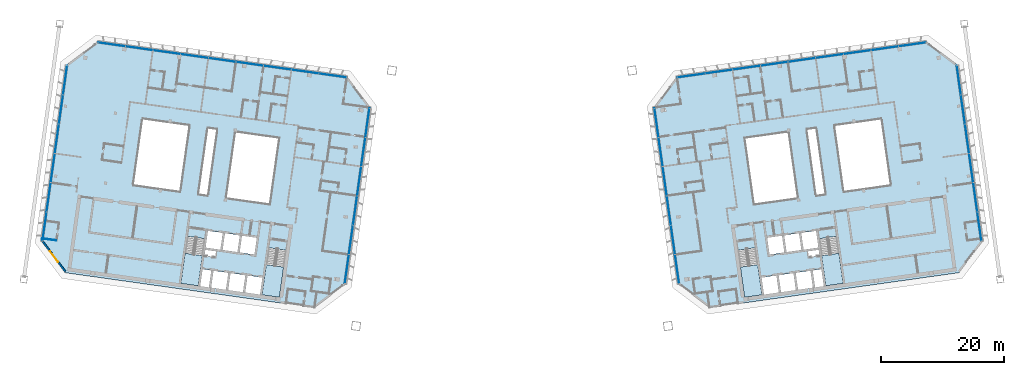
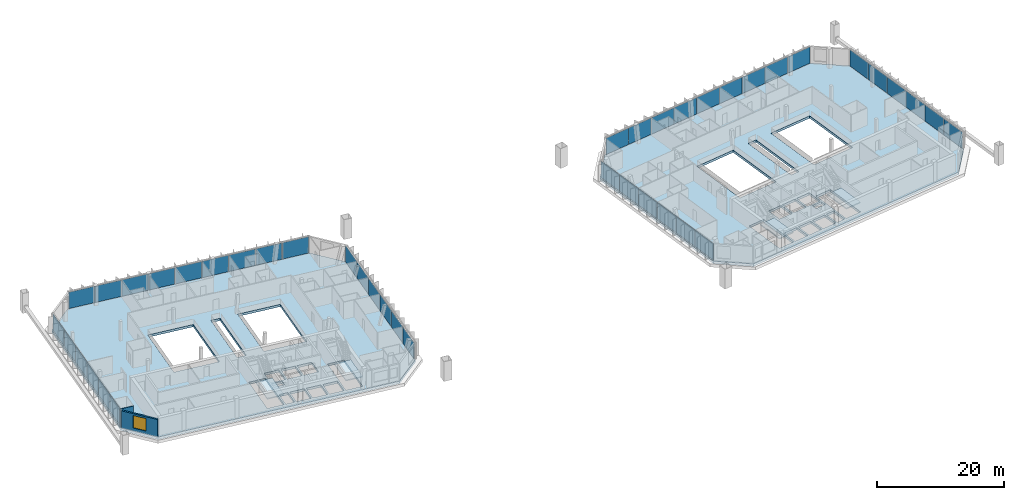
# One storey, part 14 of 26: 42 plates, 6 slabs, 2 walls, 1 window, 1 opening, 10 elements without a shape of their own.
"""IFC4 building model written with IfcOpenShell, lengths in metres."""

from ifc_helpers import new_model, si_unit, direction, frame, frame_2d, origin, origin_2d, place, context, subcontext, project, spatial, polyline, rectangle, outline, extrude, material, layer, layer_set, type_object, element, fill, aggregate, save


model = new_model("IFC4")

# Units and contexts
model_context = context("Model", 3, precision=1e-05, world=origin(), true_north=direction((0.0, 1.0)))
body_context = subcontext(model_context, "Body", "Model", "MODEL_VIEW")
ifc_project = project(units=[si_unit("LENGTHUNIT", "METRE"), si_unit("AREAUNIT", "SQUARE_METRE"), si_unit("VOLUMEUNIT", "CUBIC_METRE"), si_unit("PLANEANGLEUNIT", "RADIAN"), si_unit("MASSUNIT", "GRAM", prefix="KILO")], contexts=[model_context])

# Site, building, storey
site_placement = place(None, origin())
site = spatial("IfcSite", under=ifc_project, at=site_placement, CompositionType="ELEMENT")
building_placement = place(site_placement, origin())
building = spatial("IfcBuilding", under=site, at=building_placement, Name="Mirante Cascada Hotel Towers", CompositionType="ELEMENT")
storey_placement = place(building_placement, frame((0.0, 0.0, 216.6)))
storey = spatial("IfcBuildingStorey", under=building, at=storey_placement, Name="L51", CompositionType="ELEMENT", Elevation=216.6)

# Curtain wall, plates
ifc_material_1 = material(Name="Aluminium mullion and transom frame with clear laminated glass", Category="aluminium")
curtain_wall_type_1 = type_object("IfcCurtainWallType", Name="Ribbon curtain wall ECW1", PredefinedType="NOTDEFINED", material=ifc_material_1)
curtain_wall_1_placement = place(storey_placement, origin())
curtain_wall_1 = element("IfcCurtainWall", 1, at=curtain_wall_1_placement, inside=storey, type_object=curtain_wall_type_1, Name="Front ribbon wall T1 L51", PredefinedType="NOTDEFINED")
ifc_material_2 = material(Name="Clear laminated glass", Category="glass")
ifc_layer_1 = layer(ifc_material_2, 0.036)
ifc_layer_set_1 = layer_set([ifc_layer_1], Name="ECW1 glass panel 36")
plate_type_1 = type_object("IfcPlateType", Name="ECW1 glass panel 36", PredefinedType="CURTAIN_PANEL", material=ifc_layer_set_1)
plate_1_placement = place(storey_placement, frame((-65.1563, 21.9761, 0.1), z_axis=(0.0, 0.0, 1.0), x_axis=(0.9902681, -0.1391731, 0.0)))
plate_1 = element("IfcPlate", 2, at=plate_1_placement, type_object=plate_type_1, Name="ECW1 panel 1", PredefinedType="CURTAIN_PANEL", context=body_context, shape_type="SweptSolid", body=[
    extrude(rectangle(XDim=4.4438, YDim=0.036, at=origin_2d()), origin(), (0.0, 0.0, 1.0), 3.15),
])
plate_2_placement = place(storey_placement, frame((-60.6753, 21.3464, 0.1), z_axis=(0.0, 0.0, 1.0), x_axis=(0.9902681, -0.1391731, 0.0)))
plate_2 = element("IfcPlate", 3, at=plate_2_placement, type_object=plate_type_1, Name="ECW1 panel 2", PredefinedType="CURTAIN_PANEL", context=body_context, shape_type="SweptSolid", body=[
    extrude(rectangle(XDim=4.4763, YDim=0.036, at=origin_2d()), origin(), (0.0, 0.0, 1.0), 3.15),
])
plate_3_placement = place(storey_placement, frame((-56.1783, 20.7144, 0.1), z_axis=(0.0, 0.0, 1.0), x_axis=(0.9902681, -0.1391731, 0.0)))
plate_3 = element("IfcPlate", 4, at=plate_3_placement, type_object=plate_type_1, Name="ECW1 panel 3", PredefinedType="CURTAIN_PANEL", context=body_context, shape_type="SweptSolid", body=[
    extrude(rectangle(XDim=4.4763, YDim=0.036, at=origin_2d()), origin(), (0.0, 0.0, 1.0), 3.15),
])
plate_4_placement = place(storey_placement, frame((-51.6812, 20.0823, 0.1), z_axis=(0.0, 0.0, 1.0), x_axis=(0.9902681, -0.1391731, 0.0)))
plate_4 = element("IfcPlate", 5, at=plate_4_placement, type_object=plate_type_1, Name="ECW1 panel 4", PredefinedType="CURTAIN_PANEL", context=body_context, shape_type="SweptSolid", body=[
    extrude(rectangle(XDim=4.4763, YDim=0.036, at=origin_2d()), origin(), (0.0, 0.0, 1.0), 3.15),
])
plate_5_placement = place(storey_placement, frame((-47.1841, 19.4503, 0.1), z_axis=(0.0, 0.0, 1.0), x_axis=(0.9902681, -0.1391731, 0.0)))
plate_5 = element("IfcPlate", 6, at=plate_5_placement, type_object=plate_type_1, Name="ECW1 panel 5", PredefinedType="CURTAIN_PANEL", context=body_context, shape_type="SweptSolid", body=[
    extrude(rectangle(XDim=4.4763, YDim=0.036, at=origin_2d()), origin(), (0.0, 0.0, 1.0), 3.15),
])
plate_6_placement = place(storey_placement, frame((-42.6871, 18.8183, 0.1), z_axis=(0.0, 0.0, 1.0), x_axis=(0.9902681, -0.1391731, 0.0)))
plate_6 = element("IfcPlate", 7, at=plate_6_placement, type_object=plate_type_1, Name="ECW1 panel 6", PredefinedType="CURTAIN_PANEL", context=body_context, shape_type="SweptSolid", body=[
    extrude(rectangle(XDim=4.4763, YDim=0.036, at=origin_2d()), origin(), (0.0, 0.0, 1.0), 3.15),
])
plate_7_placement = place(storey_placement, frame((-38.19, 18.1863, 0.1), z_axis=(0.0, 0.0, 1.0), x_axis=(0.9902681, -0.1391731, 0.0)))
plate_7 = element("IfcPlate", 8, at=plate_7_placement, type_object=plate_type_1, Name="ECW1 panel 7", PredefinedType="CURTAIN_PANEL", context=body_context, shape_type="SweptSolid", body=[
    extrude(rectangle(XDim=4.4763, YDim=0.036, at=origin_2d()), origin(), (0.0, 0.0, 1.0), 3.15),
])
plate_8_placement = place(storey_placement, frame((-33.693, 17.5543, 0.1), z_axis=(0.0, 0.0, 1.0), x_axis=(0.9902681, -0.1391731, 0.0)))
plate_8 = element("IfcPlate", 9, at=plate_8_placement, type_object=plate_type_1, Name="ECW1 panel 8", PredefinedType="CURTAIN_PANEL", context=body_context, shape_type="SweptSolid", body=[
    extrude(rectangle(XDim=4.4763, YDim=0.036, at=origin_2d()), origin(), (0.0, 0.0, 1.0), 3.15),
])
plate_9_placement = place(storey_placement, frame((-29.212, 16.9245, 0.1), z_axis=(0.0, 0.0, 1.0), x_axis=(0.9902681, -0.1391731, 0.0)))
plate_9 = element("IfcPlate", 10, at=plate_9_placement, type_object=plate_type_1, Name="ECW1 panel 9", PredefinedType="CURTAIN_PANEL", context=body_context, shape_type="SweptSolid", body=[
    extrude(rectangle(XDim=4.4438, YDim=0.036, at=origin_2d()), origin(), (0.0, 0.0, 1.0), 3.15),
])
aggregate(curtain_wall_1, [plate_1, plate_2, plate_3, plate_4, plate_5, plate_6, plate_7, plate_8, plate_9])

curtain_wall_2_placement = place(storey_placement, origin())
curtain_wall_2 = element("IfcCurtainWall", 11, at=curtain_wall_2_placement, inside=storey, type_object=curtain_wall_type_1, Name="Front ribbon wall T2 L51", PredefinedType="NOTDEFINED")
plate_10_placement = place(storey_placement, frame((65.1563, 21.9761, 0.1), z_axis=(0.0, 0.0, 1.0), x_axis=(-0.9902681, -0.1391731, 0.0)))
plate_10 = element("IfcPlate", 12, at=plate_10_placement, type_object=plate_type_1, Name="ECW1 panel 1", PredefinedType="CURTAIN_PANEL", context=body_context, shape_type="SweptSolid", body=[
    extrude(rectangle(XDim=4.4438, YDim=0.036, at=origin_2d()), origin(), (0.0, 0.0, 1.0), 3.15),
])
plate_11_placement = place(storey_placement, frame((60.6753, 21.3464, 0.1), z_axis=(0.0, 0.0, 1.0), x_axis=(-0.9902681, -0.1391731, 0.0)))
plate_11 = element("IfcPlate", 13, at=plate_11_placement, type_object=plate_type_1, Name="ECW1 panel 2", PredefinedType="CURTAIN_PANEL", context=body_context, shape_type="SweptSolid", body=[
    extrude(rectangle(XDim=4.4763, YDim=0.036, at=origin_2d()), origin(), (0.0, 0.0, 1.0), 3.15),
])
plate_12_placement = place(storey_placement, frame((56.1783, 20.7144, 0.1), z_axis=(0.0, 0.0, 1.0), x_axis=(-0.9902681, -0.1391731, 0.0)))
plate_12 = element("IfcPlate", 14, at=plate_12_placement, type_object=plate_type_1, Name="ECW1 panel 3", PredefinedType="CURTAIN_PANEL", context=body_context, shape_type="SweptSolid", body=[
    extrude(rectangle(XDim=4.4763, YDim=0.036, at=origin_2d()), origin(), (0.0, 0.0, 1.0), 3.15),
])
plate_13_placement = place(storey_placement, frame((51.6812, 20.0823, 0.1), z_axis=(0.0, 0.0, 1.0), x_axis=(-0.9902681, -0.1391731, 0.0)))
plate_13 = element("IfcPlate", 15, at=plate_13_placement, type_object=plate_type_1, Name="ECW1 panel 4", PredefinedType="CURTAIN_PANEL", context=body_context, shape_type="SweptSolid", body=[
    extrude(rectangle(XDim=4.4763, YDim=0.036, at=origin_2d()), origin(), (0.0, 0.0, 1.0), 3.15),
])
plate_14_placement = place(storey_placement, frame((47.1841, 19.4503, 0.1), z_axis=(0.0, 0.0, 1.0), x_axis=(-0.9902681, -0.1391731, 0.0)))
plate_14 = element("IfcPlate", 16, at=plate_14_placement, type_object=plate_type_1, Name="ECW1 panel 5", PredefinedType="CURTAIN_PANEL", context=body_context, shape_type="SweptSolid", body=[
    extrude(rectangle(XDim=4.4763, YDim=0.036, at=origin_2d()), origin(), (0.0, 0.0, 1.0), 3.15),
])
plate_15_placement = place(storey_placement, frame((42.6871, 18.8183, 0.1), z_axis=(0.0, 0.0, 1.0), x_axis=(-0.9902681, -0.1391731, 0.0)))
plate_15 = element("IfcPlate", 17, at=plate_15_placement, type_object=plate_type_1, Name="ECW1 panel 6", PredefinedType="CURTAIN_PANEL", context=body_context, shape_type="SweptSolid", body=[
    extrude(rectangle(XDim=4.4763, YDim=0.036, at=origin_2d()), origin(), (0.0, 0.0, 1.0), 3.15),
])
plate_16_placement = place(storey_placement, frame((38.19, 18.1863, 0.1), z_axis=(0.0, 0.0, 1.0), x_axis=(-0.9902681, -0.1391731, 0.0)))
plate_16 = element("IfcPlate", 18, at=plate_16_placement, type_object=plate_type_1, Name="ECW1 panel 7", PredefinedType="CURTAIN_PANEL", context=body_context, shape_type="SweptSolid", body=[
    extrude(rectangle(XDim=4.4763, YDim=0.036, at=origin_2d()), origin(), (0.0, 0.0, 1.0), 3.15),
])
plate_17_placement = place(storey_placement, frame((33.693, 17.5543, 0.1), z_axis=(0.0, 0.0, 1.0), x_axis=(-0.9902681, -0.1391731, 0.0)))
plate_17 = element("IfcPlate", 19, at=plate_17_placement, type_object=plate_type_1, Name="ECW1 panel 8", PredefinedType="CURTAIN_PANEL", context=body_context, shape_type="SweptSolid", body=[
    extrude(rectangle(XDim=4.4763, YDim=0.036, at=origin_2d()), origin(), (0.0, 0.0, 1.0), 3.15),
])
plate_18_placement = place(storey_placement, frame((29.212, 16.9245, 0.1), z_axis=(0.0, 0.0, 1.0), x_axis=(-0.9902681, -0.1391731, 0.0)))
plate_18 = element("IfcPlate", 20, at=plate_18_placement, type_object=plate_type_1, Name="ECW1 panel 9", PredefinedType="CURTAIN_PANEL", context=body_context, shape_type="SweptSolid", body=[
    extrude(rectangle(XDim=4.4438, YDim=0.036, at=origin_2d()), origin(), (0.0, 0.0, 1.0), 3.15),
])
aggregate(curtain_wall_2, [plate_10, plate_11, plate_12, plate_13, plate_14, plate_15, plate_16, plate_17, plate_18])

ifc_material_3 = material(Name="Aluminium mullion and transom frame with clear laminated glass", Category="aluminium")
curtain_wall_type_2 = type_object("IfcCurtainWallType", Name="End ribbon curtain wall ECW2", PredefinedType="NOTDEFINED", material=ifc_material_3)
curtain_wall_3_placement = place(storey_placement, origin())
curtain_wall_3 = element("IfcCurtainWall", 21, at=curtain_wall_3_placement, inside=storey, type_object=curtain_wall_type_2, Name="Inner end wall T1 L51", PredefinedType="NOTDEFINED")
ifc_material_4 = material(Name="Clear laminated glass", Category="glass")
ifc_layer_2 = layer(ifc_material_4, 0.034)
ifc_layer_set_2 = layer_set([ifc_layer_2], Name="ECW2 glass panel 34")
plate_type_2 = type_object("IfcPlateType", Name="ECW2 glass panel 34", PredefinedType="CURTAIN_PANEL", material=ifc_layer_set_2)
plate_19_placement = place(storey_placement, frame((-23.5294, 9.224, 0.1), z_axis=(0.0, 0.0, 1.0), x_axis=(-0.1391731, -0.9902681, 0.0)))
plate_19 = element("IfcPlate", 22, at=plate_19_placement, type_object=plate_type_2, Name="ECW2 panel 1", PredefinedType="CURTAIN_PANEL", context=body_context, shape_type="SweptSolid", body=[
    extrude(rectangle(XDim=4.7151, YDim=0.034, at=origin_2d()), origin(), (0.0, 0.0, 1.0), 3.15),
])
plate_20_placement = place(storey_placement, frame((-24.1969, 4.4743, 0.1), z_axis=(0.0, 0.0, 1.0), x_axis=(-0.1391731, -0.9902681, 0.0)))
plate_20 = element("IfcPlate", 23, at=plate_20_placement, type_object=plate_type_2, Name="ECW2 panel 2", PredefinedType="CURTAIN_PANEL", context=body_context, shape_type="SweptSolid", body=[
    extrude(rectangle(XDim=4.7476, YDim=0.034, at=origin_2d()), origin(), (0.0, 0.0, 1.0), 3.15),
])
plate_21_placement = place(storey_placement, frame((-24.8667, -0.2915, 0.1), z_axis=(0.0, 0.0, 1.0), x_axis=(-0.1391731, -0.9902681, 0.0)))
plate_21 = element("IfcPlate", 24, at=plate_21_placement, type_object=plate_type_2, Name="ECW2 panel 3", PredefinedType="CURTAIN_PANEL", context=body_context, shape_type="SweptSolid", body=[
    extrude(rectangle(XDim=4.7476, YDim=0.034, at=origin_2d()), origin(), (0.0, 0.0, 1.0), 3.15),
])
plate_22_placement = place(storey_placement, frame((-25.5365, -5.0573, 0.1), z_axis=(0.0, 0.0, 1.0), x_axis=(-0.1391731, -0.9902681, 0.0)))
plate_22 = element("IfcPlate", 25, at=plate_22_placement, type_object=plate_type_2, Name="ECW2 panel 4", PredefinedType="CURTAIN_PANEL", context=body_context, shape_type="SweptSolid", body=[
    extrude(rectangle(XDim=4.7476, YDim=0.034, at=origin_2d()), origin(), (0.0, 0.0, 1.0), 3.15),
])
plate_23_placement = place(storey_placement, frame((-26.2063, -9.8231, 0.1), z_axis=(0.0, 0.0, 1.0), x_axis=(-0.1391731, -0.9902681, 0.0)))
plate_23 = element("IfcPlate", 26, at=plate_23_placement, type_object=plate_type_2, Name="ECW2 panel 5", PredefinedType="CURTAIN_PANEL", context=body_context, shape_type="SweptSolid", body=[
    extrude(rectangle(XDim=4.7476, YDim=0.034, at=origin_2d()), origin(), (0.0, 0.0, 1.0), 3.15),
])
plate_24_placement = place(storey_placement, frame((-26.8738, -14.5727, 0.1), z_axis=(0.0, 0.0, 1.0), x_axis=(-0.1391731, -0.9902681, 0.0)))
plate_24 = element("IfcPlate", 27, at=plate_24_placement, type_object=plate_type_2, Name="ECW2 panel 6", PredefinedType="CURTAIN_PANEL", context=body_context, shape_type="SweptSolid", body=[
    extrude(rectangle(XDim=4.7151, YDim=0.034, at=origin_2d()), origin(), (0.0, 0.0, 1.0), 3.15),
])
aggregate(curtain_wall_3, [plate_19, plate_20, plate_21, plate_22, plate_23, plate_24])

curtain_wall_4_placement = place(storey_placement, origin())
curtain_wall_4 = element("IfcCurtainWall", 28, at=curtain_wall_4_placement, inside=storey, type_object=curtain_wall_type_2, Name="Outer end wall T1 L51", PredefinedType="NOTDEFINED")
plate_25_placement = place(storey_placement, frame((-76.0857, -7.6565, 0.1), z_axis=(0.0, 0.0, 1.0), x_axis=(0.1391731, 0.9902681, 0.0)))
plate_25 = element("IfcPlate", 29, at=plate_25_placement, type_object=plate_type_2, Name="ECW2 panel 1", PredefinedType="CURTAIN_PANEL", context=body_context, shape_type="SweptSolid", body=[
    extrude(rectangle(XDim=4.7151, YDim=0.034, at=origin_2d()), origin(), (0.0, 0.0, 1.0), 3.15),
])
plate_26_placement = place(storey_placement, frame((-75.4182, -2.9068, 0.1), z_axis=(0.0, 0.0, 1.0), x_axis=(0.1391731, 0.9902681, 0.0)))
plate_26 = element("IfcPlate", 30, at=plate_26_placement, type_object=plate_type_2, Name="ECW2 panel 2", PredefinedType="CURTAIN_PANEL", context=body_context, shape_type="SweptSolid", body=[
    extrude(rectangle(XDim=4.7476, YDim=0.034, at=origin_2d()), origin(), (0.0, 0.0, 1.0), 3.15),
])
plate_27_placement = place(storey_placement, frame((-74.7484, 1.859, 0.1), z_axis=(0.0, 0.0, 1.0), x_axis=(0.1391731, 0.9902681, 0.0)))
plate_27 = element("IfcPlate", 31, at=plate_27_placement, type_object=plate_type_2, Name="ECW2 panel 3", PredefinedType="CURTAIN_PANEL", context=body_context, shape_type="SweptSolid", body=[
    extrude(rectangle(XDim=4.7476, YDim=0.034, at=origin_2d()), origin(), (0.0, 0.0, 1.0), 3.15),
])
plate_28_placement = place(storey_placement, frame((-74.0786, 6.6248, 0.1), z_axis=(0.0, 0.0, 1.0), x_axis=(0.1391731, 0.9902681, 0.0)))
plate_28 = element("IfcPlate", 32, at=plate_28_placement, type_object=plate_type_2, Name="ECW2 panel 4", PredefinedType="CURTAIN_PANEL", context=body_context, shape_type="SweptSolid", body=[
    extrude(rectangle(XDim=4.7476, YDim=0.034, at=origin_2d()), origin(), (0.0, 0.0, 1.0), 3.15),
])
plate_29_placement = place(storey_placement, frame((-73.4088, 11.3906, 0.1), z_axis=(0.0, 0.0, 1.0), x_axis=(0.1391731, 0.9902681, 0.0)))
plate_29 = element("IfcPlate", 33, at=plate_29_placement, type_object=plate_type_2, Name="ECW2 panel 5", PredefinedType="CURTAIN_PANEL", context=body_context, shape_type="SweptSolid", body=[
    extrude(rectangle(XDim=4.7476, YDim=0.034, at=origin_2d()), origin(), (0.0, 0.0, 1.0), 3.15),
])
plate_30_placement = place(storey_placement, frame((-72.7413, 16.1403, 0.1), z_axis=(0.0, 0.0, 1.0), x_axis=(0.1391731, 0.9902681, 0.0)))
plate_30 = element("IfcPlate", 34, at=plate_30_placement, type_object=plate_type_2, Name="ECW2 panel 6", PredefinedType="CURTAIN_PANEL", context=body_context, shape_type="SweptSolid", body=[
    extrude(rectangle(XDim=4.7151, YDim=0.034, at=origin_2d()), origin(), (0.0, 0.0, 1.0), 3.15),
])
aggregate(curtain_wall_4, [plate_25, plate_26, plate_27, plate_28, plate_29, plate_30])

curtain_wall_5_placement = place(storey_placement, origin())
curtain_wall_5 = element("IfcCurtainWall", 35, at=curtain_wall_5_placement, inside=storey, type_object=curtain_wall_type_2, Name="Inner end wall T2 L51", PredefinedType="NOTDEFINED")
plate_31_placement = place(storey_placement, frame((23.5294, 9.224, 0.1), z_axis=(0.0, 0.0, 1.0), x_axis=(0.1391731, -0.9902681, 0.0)))
plate_31 = element("IfcPlate", 36, at=plate_31_placement, type_object=plate_type_2, Name="ECW2 panel 1", PredefinedType="CURTAIN_PANEL", context=body_context, shape_type="SweptSolid", body=[
    extrude(rectangle(XDim=4.7151, YDim=0.034, at=origin_2d()), origin(), (0.0, 0.0, 1.0), 3.15),
])
plate_32_placement = place(storey_placement, frame((24.1969, 4.4743, 0.1), z_axis=(0.0, 0.0, 1.0), x_axis=(0.1391731, -0.9902681, 0.0)))
plate_32 = element("IfcPlate", 37, at=plate_32_placement, type_object=plate_type_2, Name="ECW2 panel 2", PredefinedType="CURTAIN_PANEL", context=body_context, shape_type="SweptSolid", body=[
    extrude(rectangle(XDim=4.7476, YDim=0.034, at=origin_2d()), origin(), (0.0, 0.0, 1.0), 3.15),
])
plate_33_placement = place(storey_placement, frame((24.8667, -0.2915, 0.1), z_axis=(0.0, 0.0, 1.0), x_axis=(0.1391731, -0.9902681, 0.0)))
plate_33 = element("IfcPlate", 38, at=plate_33_placement, type_object=plate_type_2, Name="ECW2 panel 3", PredefinedType="CURTAIN_PANEL", context=body_context, shape_type="SweptSolid", body=[
    extrude(rectangle(XDim=4.7476, YDim=0.034, at=origin_2d()), origin(), (0.0, 0.0, 1.0), 3.15),
])
plate_34_placement = place(storey_placement, frame((25.5365, -5.0573, 0.1), z_axis=(0.0, 0.0, 1.0), x_axis=(0.1391731, -0.9902681, 0.0)))
plate_34 = element("IfcPlate", 39, at=plate_34_placement, type_object=plate_type_2, Name="ECW2 panel 4", PredefinedType="CURTAIN_PANEL", context=body_context, shape_type="SweptSolid", body=[
    extrude(rectangle(XDim=4.7476, YDim=0.034, at=origin_2d()), origin(), (0.0, 0.0, 1.0), 3.15),
])
plate_35_placement = place(storey_placement, frame((26.2063, -9.8231, 0.1), z_axis=(0.0, 0.0, 1.0), x_axis=(0.1391731, -0.9902681, 0.0)))
plate_35 = element("IfcPlate", 40, at=plate_35_placement, type_object=plate_type_2, Name="ECW2 panel 5", PredefinedType="CURTAIN_PANEL", context=body_context, shape_type="SweptSolid", body=[
    extrude(rectangle(XDim=4.7476, YDim=0.034, at=origin_2d()), origin(), (0.0, 0.0, 1.0), 3.15),
])
plate_36_placement = place(storey_placement, frame((26.8738, -14.5727, 0.1), z_axis=(0.0, 0.0, 1.0), x_axis=(0.1391731, -0.9902681, 0.0)))
plate_36 = element("IfcPlate", 41, at=plate_36_placement, type_object=plate_type_2, Name="ECW2 panel 6", PredefinedType="CURTAIN_PANEL", context=body_context, shape_type="SweptSolid", body=[
    extrude(rectangle(XDim=4.7151, YDim=0.034, at=origin_2d()), origin(), (0.0, 0.0, 1.0), 3.15),
])
aggregate(curtain_wall_5, [plate_31, plate_32, plate_33, plate_34, plate_35, plate_36])

curtain_wall_6_placement = place(storey_placement, origin())
curtain_wall_6 = element("IfcCurtainWall", 42, at=curtain_wall_6_placement, inside=storey, type_object=curtain_wall_type_2, Name="Outer end wall T2 L51", PredefinedType="NOTDEFINED")
plate_37_placement = place(storey_placement, frame((76.0857, -7.6565, 0.1), z_axis=(0.0, 0.0, 1.0), x_axis=(-0.1391731, 0.9902681, 0.0)))
plate_37 = element("IfcPlate", 43, at=plate_37_placement, type_object=plate_type_2, Name="ECW2 panel 1", PredefinedType="CURTAIN_PANEL", context=body_context, shape_type="SweptSolid", body=[
    extrude(rectangle(XDim=4.7151, YDim=0.034, at=origin_2d()), origin(), (0.0, 0.0, 1.0), 3.15),
])
plate_38_placement = place(storey_placement, frame((75.4182, -2.9068, 0.1), z_axis=(0.0, 0.0, 1.0), x_axis=(-0.1391731, 0.9902681, 0.0)))
plate_38 = element("IfcPlate", 44, at=plate_38_placement, type_object=plate_type_2, Name="ECW2 panel 2", PredefinedType="CURTAIN_PANEL", context=body_context, shape_type="SweptSolid", body=[
    extrude(rectangle(XDim=4.7476, YDim=0.034, at=origin_2d()), origin(), (0.0, 0.0, 1.0), 3.15),
])
plate_39_placement = place(storey_placement, frame((74.7484, 1.859, 0.1), z_axis=(0.0, 0.0, 1.0), x_axis=(-0.1391731, 0.9902681, 0.0)))
plate_39 = element("IfcPlate", 45, at=plate_39_placement, type_object=plate_type_2, Name="ECW2 panel 3", PredefinedType="CURTAIN_PANEL", context=body_context, shape_type="SweptSolid", body=[
    extrude(rectangle(XDim=4.7476, YDim=0.034, at=origin_2d()), origin(), (0.0, 0.0, 1.0), 3.15),
])
plate_40_placement = place(storey_placement, frame((74.0786, 6.6248, 0.1), z_axis=(0.0, 0.0, 1.0), x_axis=(-0.1391731, 0.9902681, 0.0)))
plate_40 = element("IfcPlate", 46, at=plate_40_placement, type_object=plate_type_2, Name="ECW2 panel 4", PredefinedType="CURTAIN_PANEL", context=body_context, shape_type="SweptSolid", body=[
    extrude(rectangle(XDim=4.7476, YDim=0.034, at=origin_2d()), origin(), (0.0, 0.0, 1.0), 3.15),
])
plate_41_placement = place(storey_placement, frame((73.4088, 11.3906, 0.1), z_axis=(0.0, 0.0, 1.0), x_axis=(-0.1391731, 0.9902681, 0.0)))
plate_41 = element("IfcPlate", 47, at=plate_41_placement, type_object=plate_type_2, Name="ECW2 panel 5", PredefinedType="CURTAIN_PANEL", context=body_context, shape_type="SweptSolid", body=[
    extrude(rectangle(XDim=4.7476, YDim=0.034, at=origin_2d()), origin(), (0.0, 0.0, 1.0), 3.15),
])
plate_42_placement = place(storey_placement, frame((72.7413, 16.1403, 0.1), z_axis=(0.0, 0.0, 1.0), x_axis=(-0.1391731, 0.9902681, 0.0)))
plate_42 = element("IfcPlate", 48, at=plate_42_placement, type_object=plate_type_2, Name="ECW2 panel 6", PredefinedType="CURTAIN_PANEL", context=body_context, shape_type="SweptSolid", body=[
    extrude(rectangle(XDim=4.7151, YDim=0.034, at=origin_2d()), origin(), (0.0, 0.0, 1.0), 3.15),
])
aggregate(curtain_wall_6, [plate_37, plate_38, plate_39, plate_40, plate_41, plate_42])

# Stair, slab
ifc_material_5 = material(Name="Concrete C35/45", Category="concrete")
stair_type = type_object("IfcStairType", Name="Exit stair half-turn 1350 concrete C35/45", PredefinedType="HALF_TURN_STAIR", material=ifc_material_5)
stair_1_placement = place(storey_placement, origin())
stair_1 = element("IfcStair", 49, at=stair_1_placement, inside=storey, type_object=stair_type, Name="L51 Exit stair A", PredefinedType="HALF_TURN_STAIR")
ifc_material_6 = material(Name="Concrete C35/45", Category="concrete")
ifc_layer_3 = layer(ifc_material_6, 0.2)
ifc_layer_set_3 = layer_set([ifc_layer_3], Name="Exit stair landing 200 concrete C35/45")
slab_type_1 = type_object("IfcSlabType", Name="Exit stair landing 200 concrete C35/45", PredefinedType="LANDING", material=ifc_layer_set_3)
slab_1_placement = place(storey_placement, frame((0.0, 0.0, 1.7)))
slab_1 = element("IfcSlab", 50, at=slab_1_placement, type_object=slab_type_1, Name="ST1-A landing 1", PredefinedType="LANDING", context=body_context, shape_type="SweptSolid", body=[
    extrude(outline(polyline([(-39.9987, -13.8659), (-40.6887, -18.7757), (-37.8665, -19.1723), (-37.1765, -14.2626), (-39.9987, -13.8659)])), origin(), (0.0, 0.0, 1.0), 0.2),
])
aggregate(stair_1, [slab_1])

stair_2_placement = place(storey_placement, origin())
stair_2 = element("IfcStair", 51, at=stair_2_placement, inside=storey, type_object=stair_type, Name="L51 Exit stair B", PredefinedType="HALF_TURN_STAIR")
slab_2_placement = place(storey_placement, frame((0.0, 0.0, 1.7)))
slab_2 = element("IfcSlab", 52, at=slab_2_placement, type_object=slab_type_1, Name="ST1-B landing 1", PredefinedType="LANDING", context=body_context, shape_type="SweptSolid", body=[
    extrude(outline(polyline([(-53.2188, -12.008), (-53.9088, -16.9177), (-51.0866, -17.3144), (-50.3965, -12.4046), (-53.2188, -12.008)])), origin(), (0.0, 0.0, 1.0), 0.2),
])
aggregate(stair_2, [slab_2])

stair_3_placement = place(storey_placement, origin())
stair_3 = element("IfcStair", 53, at=stair_3_placement, inside=storey, type_object=stair_type, Name="L51 Exit stair A", PredefinedType="HALF_TURN_STAIR")
slab_3_placement = place(storey_placement, frame((0.0, 0.0, 1.7)))
slab_3 = element("IfcSlab", 54, at=slab_3_placement, type_object=slab_type_1, Name="ST2-A landing 1", PredefinedType="LANDING", context=body_context, shape_type="SweptSolid", body=[
    extrude(outline(polyline([(37.1765, -14.2626), (37.8665, -19.1723), (40.6887, -18.7757), (39.9987, -13.8659), (37.1765, -14.2626)])), origin(), (0.0, 0.0, 1.0), 0.2),
])
aggregate(stair_3, [slab_3])

stair_4_placement = place(storey_placement, origin())
stair_4 = element("IfcStair", 55, at=stair_4_placement, inside=storey, type_object=stair_type, Name="L51 Exit stair B", PredefinedType="HALF_TURN_STAIR")
slab_4_placement = place(storey_placement, frame((0.0, 0.0, 1.7)))
slab_4 = element("IfcSlab", 56, at=slab_4_placement, type_object=slab_type_1, Name="ST2-B landing 1", PredefinedType="LANDING", context=body_context, shape_type="SweptSolid", body=[
    extrude(outline(polyline([(50.3965, -12.4046), (51.0866, -17.3144), (53.9088, -16.9177), (53.2188, -12.008), (50.3965, -12.4046)])), origin(), (0.0, 0.0, 1.0), 0.2),
])
aggregate(stair_4, [slab_4])

# Slabs
ifc_material_7 = material(Name="Concrete C40/50", Category="concrete")
ifc_layer_4 = layer(ifc_material_7, 0.45)
ifc_layer_set_4 = layer_set([ifc_layer_4], Name="Post-tensioned flat plate 450 Concrete C40/50")
slab_type_2 = type_object("IfcSlabType", Name="Post-tensioned flat plate 450 Concrete C40/50", PredefinedType="FLOOR", material=ifc_layer_set_4)
slab_5_placement = place(storey_placement, frame((0.0, 0.0, -0.45)))
element("IfcSlab", 57, at=slab_5_placement, inside=storey, type_object=slab_type_2, Name="Floor T1 L51", PredefinedType="FLOOR", context=body_context, shape_type="SweptSolid", body=[
    extrude(outline(polyline([(-27.071, -17.0541), (-23.035, 11.6636), (-26.865, 16.7461), (-67.4616, 22.4516), (-72.5441, 18.6217), (-76.5801, -10.0961), (-72.7501, -15.1786), (-32.1535, -20.8841), (-27.071, -17.0541)]), holes=[polyline([(-40.5961, -15.9612), (-40.9858, -18.7339), (-43.4615, -18.386), (-43.0718, -15.6132), (-40.5961, -15.9612)]), polyline([(-43.3689, -15.5715), (-43.7586, -18.3442), (-46.2342, -17.9963), (-45.8446, -15.2236), (-43.3689, -15.5715)]), polyline([(-46.1416, -15.1818), (-46.5313, -17.9546), (-49.007, -17.6066), (-48.6173, -14.8339), (-46.1416, -15.1818)]), polyline([(-36.7887, -11.5037), (-37.8665, -19.1723), (-40.6887, -18.7757), (-39.611, -11.107), (-36.7887, -11.5037)]), polyline([(-43.9775, -9.124), (-41.5018, -9.472), (-41.8915, -12.2447), (-44.3672, -11.8968), (-43.9775, -9.124)]), polyline([(-44.2746, -9.0823), (-44.6643, -11.855), (-47.1399, -11.5071), (-46.7503, -8.7344), (-44.2746, -9.0823)]), polyline([(-50.3998, -14.5834), (-48.9144, -14.7921), (-49.3041, -17.5649), (-50.7895, -17.3561), (-50.3998, -14.5834)]), polyline([(-50.0088, -9.6457), (-51.0866, -17.3144), (-53.9088, -16.9177), (-52.8311, -9.2491), (-50.0088, -9.6457)]), polyline([(-48.1472, -11.6685), (-48.2829, -12.634), (-50.0901, -12.38), (-49.9544, -11.4145), (-48.1472, -11.6685)]), polyline([(-49.523, -8.3447), (-47.0473, -8.6926), (-47.437, -11.4654), (-49.9127, -11.1174), (-49.523, -8.3447)]), polyline([(-52.4916, 8.8357), (-54.0225, -2.0573), (-54.0225, -2.0573), (-61.6666, -0.983), (-60.1357, 9.91), (-52.4916, 8.8357)]), polyline([(-47.9809, 8.2017), (-49.5118, -2.6912), (-49.5118, -2.6912), (-51.0497, -2.4751), (-51.0497, -2.4751), (-49.5188, 8.4179), (-47.9809, 8.2017)]), polyline([(-37.8547, 6.7786), (-39.3856, -4.1144), (-46.539, -3.109), (-46.539, -3.109), (-45.0081, 7.7839), (-37.8547, 6.7786)])]), origin(), (0.0, 0.0, 1.0), 0.45),
])
slab_6_placement = place(storey_placement, frame((0.0, 0.0, -0.45)))
element("IfcSlab", 58, at=slab_6_placement, inside=storey, type_object=slab_type_2, Name="Floor T2 L51", PredefinedType="FLOOR", context=body_context, shape_type="SweptSolid", body=[
    extrude(outline(polyline([(27.071, -17.0541), (23.035, 11.6636), (26.865, 16.7461), (67.4616, 22.4516), (72.5441, 18.6217), (76.5801, -10.0961), (72.7501, -15.1786), (32.1535, -20.8841), (27.071, -17.0541)]), holes=[polyline([(40.5961, -15.9612), (40.9858, -18.7339), (43.4615, -18.386), (43.0718, -15.6132), (40.5961, -15.9612)]), polyline([(43.3689, -15.5715), (43.7586, -18.3442), (46.2342, -17.9963), (45.8446, -15.2236), (43.3689, -15.5715)]), polyline([(46.1416, -15.1818), (46.5313, -17.9546), (49.007, -17.6066), (48.6173, -14.8339), (46.1416, -15.1818)]), polyline([(37.8665, -19.1723), (40.6887, -18.7757), (39.611, -11.107), (36.7887, -11.5037), (37.8665, -19.1723)]), polyline([(43.9775, -9.124), (41.5018, -9.472), (41.8915, -12.2447), (44.3672, -11.8968), (43.9775, -9.124)]), polyline([(44.2746, -9.0823), (44.6643, -11.855), (47.1399, -11.5071), (46.7503, -8.7344), (44.2746, -9.0823)]), polyline([(50.3998, -14.5834), (48.9144, -14.7921), (49.3041, -17.5649), (50.7895, -17.3561), (50.3998, -14.5834)]), polyline([(51.0866, -17.3144), (53.9088, -16.9177), (52.8311, -9.2491), (50.0088, -9.6457), (51.0866, -17.3144)]), polyline([(48.1472, -11.6685), (48.2829, -12.634), (50.0901, -12.38), (49.9544, -11.4145), (48.1472, -11.6685)]), polyline([(49.523, -8.3447), (47.0473, -8.6926), (47.437, -11.4654), (49.9127, -11.1174), (49.523, -8.3447)]), polyline([(60.1357, 9.91), (61.6666, -0.983), (54.0225, -2.0573), (54.0225, -2.0573), (52.4916, 8.8357), (60.1357, 9.91)]), polyline([(49.5188, 8.4179), (51.0497, -2.4751), (51.0497, -2.4751), (49.5118, -2.6912), (49.5118, -2.6912), (47.9809, 8.2017), (49.5188, 8.4179)]), polyline([(39.3856, -4.1144), (37.8547, 6.7786), (45.0081, 7.7839), (46.539, -3.109), (46.539, -3.109), (39.3856, -4.1144)])]), origin(), (0.0, 0.0, 1.0), 0.45),
])

# Wall
ifc_material_8 = material(Name="Plasterboard on metal studs")
ifc_layer_5 = layer(ifc_material_8, 0.1)
ifc_layer_set_5 = layer_set([ifc_layer_5], Name="Partition 100")
wall_type_1 = type_object("IfcWallType", Name="Partition 100", PredefinedType="PARTITIONING", material=ifc_layer_set_5)
wall_1_placement = place(storey_placement, frame((-76.5105, -9.601, 0.0), z_axis=(0.0, 0.0, 1.0), x_axis=(0.9902712, -0.1391512, 0.0)))
element("IfcWall", 59, at=wall_1_placement, inside=storey, type_object=wall_type_1, Name="Wall 1-L51-05", PredefinedType="PARTITIONING", context=body_context, shape_type="SweptSolid", body=[
    extrude(rectangle(XDim=2.35, YDim=0.1, at=frame_2d((1.175, 0.0))), origin(), (0.0, 0.0, 1.0), 3.35),
])

# Wall, opening, window
ifc_material_9 = material(Name="Precast concrete C40/50", Category="concrete")
ifc_layer_6 = layer(ifc_material_9, 0.3)
ifc_layer_set_6 = layer_set([ifc_layer_6], Name="Precast concrete C40/50 cladding wall 300")
wall_type_2 = type_object("IfcWallType", Name="Precast concrete C40/50 cladding wall 300", PredefinedType="STANDARD", material=ifc_layer_set_6)
wall_2_placement = place(storey_placement, frame((-72.7051, -14.9892, 0.0), z_axis=(0.0, 0.0, 1.0), x_axis=(-0.6018141, 0.7986362, 0.0)))
wall_2 = element("IfcWall", 60, at=wall_2_placement, inside=storey, type_object=wall_type_2, Name="Corner cladding wall T1 L51 rear outer", PredefinedType="STANDARD", context=body_context, shape_type="SweptSolid", body=[
    extrude(rectangle(XDim=6.1157, YDim=0.3, at=frame_2d((3.0578, 0.0))), origin(), (0.0, 0.0, 1.0), 3.35),
])
opening_placement = place(wall_2_placement, frame((1.9578, 0.0, 0.6)))
opening = element("IfcOpeningElement", 61, at=opening_placement, cuts=wall_2, Name="Opening W1-51-02", PredefinedType="OPENING", context=body_context, shape_type="SweptSolid", body=[
    extrude(rectangle(XDim=2.2, YDim=2.4, at=frame_2d((1.1, 1.2))), frame((0.0, 0.15, 0.0), z_axis=(0.0, -1.0, 0.0), x_axis=(1.0, 0.0, 0.0)), (0.0, 0.0, 1.0), 0.3),
])
ifc_material_10 = material(Name="Aluminium frame with clear double glazing", Category="aluminium")
window_type = type_object("IfcWindowType", Name="Corner suite window 2200x2400", PartitioningType="DOUBLE_PANEL_VERTICAL", PredefinedType="WINDOW", material=ifc_material_10)
window_placement = place(opening_placement, origin())
window = element("IfcWindow", 62, at=window_placement, inside=storey, type_object=window_type, Name="Window W1-51-02", OverallHeight=2.4, OverallWidth=2.2, PartitioningType="SINGLE_PANEL", PredefinedType="WINDOW", context=body_context, shape_type="SweptSolid", body=[
    extrude(rectangle(XDim=2.2, YDim=2.4, at=frame_2d((1.1, 1.2))), frame((0.0, 0.03, 0.0), z_axis=(0.0, -1.0, 0.0), x_axis=(1.0, 0.0, 0.0)), (0.0, 0.0, 1.0), 0.06),
])
fill(opening, window)

save(model, "model.ifc")
